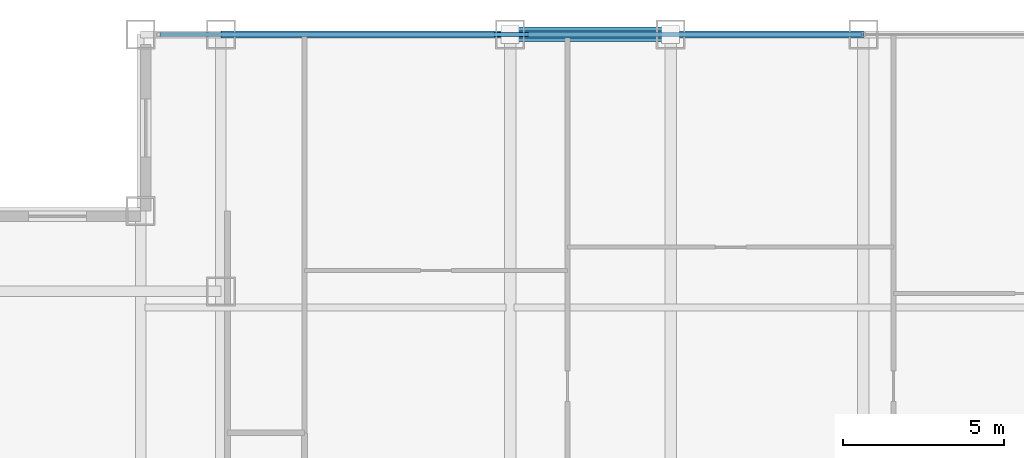
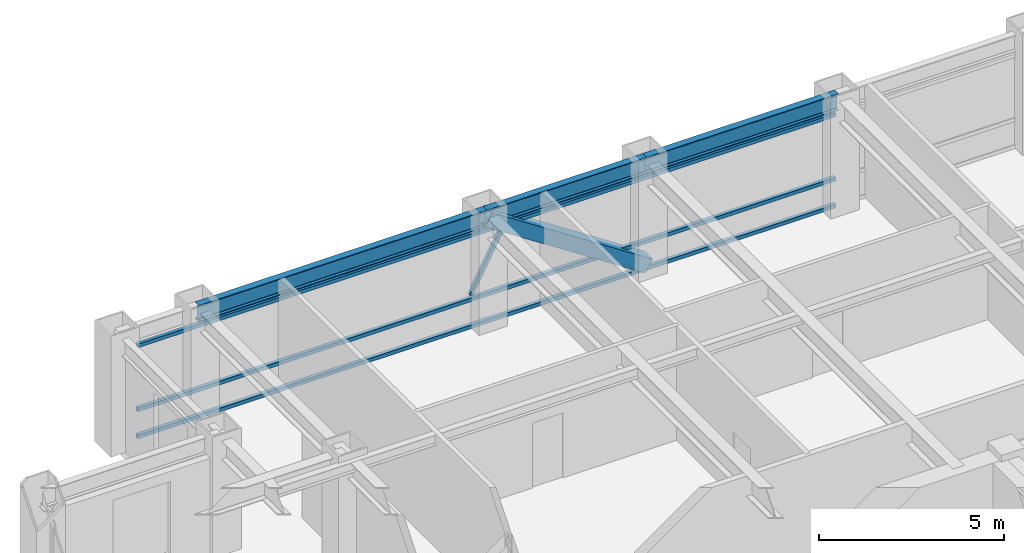
# One storey, part 13 of 22: 5 members, 3 beams, 1 element without a shape of its own.
"""IFC4 building model written with IfcOpenShell, lengths in metres."""

from ifc_helpers import new_model, si_unit, direction, frame, origin, origin_2d, place, context, subcontext, project, spatial, hollow_rectangle, i_section, extrude, source, transform, mapped, material, material_profile, profile_set, type_object, element, aggregate, save


model = new_model("IFC4")

# Units and contexts
model_context = context("Model", 3, precision=1e-05, world=origin(), true_north=direction((0.0, 1.0)))
body_context = subcontext(model_context, "Body", "Model", "MODEL_VIEW")
ifc_project = project(units=[si_unit("LENGTHUNIT", "METRE"), si_unit("AREAUNIT", "SQUARE_METRE"), si_unit("VOLUMEUNIT", "CUBIC_METRE"), si_unit("PLANEANGLEUNIT", "RADIAN"), si_unit("MASSUNIT", "GRAM", prefix="KILO")], contexts=[model_context])

# Site, building, storey
site_placement = place(None, origin())
site = spatial("IfcSite", under=ifc_project, at=site_placement, CompositionType="ELEMENT")
building_placement = place(site_placement, origin())
building = spatial("IfcBuilding", under=site, at=building_placement, Name="Khorayat Bourse Tower", CompositionType="ELEMENT")
storey_placement = place(building_placement, frame((0.0, 0.0, 305.5)))
storey = spatial("IfcBuildingStorey", under=building, at=storey_placement, Name="L72", CompositionType="ELEMENT", Elevation=305.5)

# Member
ifc_material_1 = material(Name="Steel EN 10025-4 S460M", Category="steel")
ifc_material_profile_1 = material_profile(ifc_material_1, hollow_rectangle(XDim=0.449951171875, YDim=0.449951171875, WallThickness=0.02490234375, at=origin_2d()), Name="HSS 450x450x25")
ifc_profile_set_1 = profile_set([ifc_material_profile_1], Name="Steel EN 10025-4 S460M")
member_type_1 = type_object("IfcMemberType", Name="MBR-TUBE-450", PredefinedType="BRACE", material=ifc_profile_set_1)
shared_shape_1 = source(origin(), body_context, "Body", "SweptSolid", [
    extrude(hollow_rectangle(XDim=0.449951171875, YDim=0.449951171875, WallThickness=0.02490234375, at=origin_2d()), origin(), (0.0, 0.0, 1.0), 5.979736328125),
])
member_1_placement = place(storey_placement, frame((-11.0, 28.0, 3.530029296875), z_axis=(0.836141536525, 0.0, -0.548513747227), x_axis=(0.0, 1.0, 0.0)))
element("IfcMember", 1, at=member_1_placement, inside=storey, type_object=member_type_1, Name="L72 Perimeter Tube Brace 03", PredefinedType="BRACE", context=body_context, shape_type="MappedRepresentation", body=[
    mapped(shared_shape_1, transform((0.0, 0.0, 0.0), scale=1.0)),
])

# Beams
ifc_material_2 = material(Name="Steel ASTM A992 Grade 50", Category="steel")
ifc_material_profile_2 = material_profile(ifc_material_2, i_section(OverallWidth=0.214111328125, OverallDepth=0.549072265625, WebThickness=0.0146484375, FlangeThickness=0.023681640625, FilletRadius=0.013916015625, at=origin_2d()), Name="W530X138")
ifc_profile_set_2 = profile_set([ifc_material_profile_2], Name="Steel ASTM A992 Grade 50")
beam_type = type_object("IfcBeamType", Name="BM-SPAN-530", PredefinedType="SPANDREL", material=ifc_profile_set_2)
shared_shape_2 = source(origin(), body_context, "Body", "SweptSolid", [
    extrude(i_section(OverallWidth=0.214111328125, OverallDepth=0.549072265625, WebThickness=0.0146484375, FlangeThickness=0.023681640625, FilletRadius=0.013916015625, at=origin_2d()), origin(), (0.0, 0.0, 1.0), 9.0),
])
beam_1_placement = place(storey_placement, frame((-20.0, 28.0, 3.505615234375), z_axis=(1.0, 0.0, 0.0), x_axis=(0.0, 1.0, 0.0)))
element("IfcBeam", 2, at=beam_1_placement, inside=storey, type_object=beam_type, Name="L72 BM-SPAN-530 BM-L72-SPN-050", PredefinedType="SPANDREL", context=body_context, shape_type="MappedRepresentation", body=[
    mapped(shared_shape_2, transform((0.0, 0.0, 0.0), scale=1.0)),
])
shared_shape_3 = source(origin(), body_context, "Body", "SweptSolid", [
    extrude(i_section(OverallWidth=0.214111328125, OverallDepth=0.549072265625, WebThickness=0.0146484375, FlangeThickness=0.023681640625, FilletRadius=0.013916015625, at=origin_2d()), origin(), (0.0, 0.0, 1.0), 5.0),
])
beam_2_placement = place(storey_placement, frame((-11.0, 28.0, 3.505615234375), z_axis=(1.0, 0.0, 0.0), x_axis=(0.0, 1.0, 0.0)))
element("IfcBeam", 3, at=beam_2_placement, inside=storey, type_object=beam_type, Name="L72 BM-SPAN-530 BM-L72-SPN-049", PredefinedType="SPANDREL", context=body_context, shape_type="MappedRepresentation", body=[
    mapped(shared_shape_3, transform((0.0, 0.0, 0.0), scale=1.0)),
])
shared_shape_4 = source(origin(), body_context, "Body", "SweptSolid", [
    extrude(i_section(OverallWidth=0.214111328125, OverallDepth=0.549072265625, WebThickness=0.0146484375, FlangeThickness=0.023681640625, FilletRadius=0.013916015625, at=origin_2d()), origin(), (0.0, 0.0, 1.0), 6.0),
])
beam_3_placement = place(storey_placement, frame((-6.0, 28.0, 3.505615234375), z_axis=(1.0, 0.0, 0.0), x_axis=(0.0, 1.0, 0.0)))
element("IfcBeam", 4, at=beam_3_placement, inside=storey, type_object=beam_type, Name="L72 BM-SPAN-530 BM-L72-SPN-048", PredefinedType="SPANDREL", context=body_context, shape_type="MappedRepresentation", body=[
    mapped(shared_shape_4, transform((0.0, 0.0, 0.0), scale=1.0)),
])

# Curtain wall, members
ifc_material_3 = material(Name="Aluminium EN AW-6063 T6", Category="aluminium")
curtain_wall_type = type_object("IfcCurtainWallType", Name="CW-SYS-04", PredefinedType="NOTDEFINED", material=ifc_material_3)
curtain_wall_placement = place(storey_placement, origin())
curtain_wall = element("IfcCurtainWall", 5, at=curtain_wall_placement, inside=storey, type_object=curtain_wall_type, Name="L72 Curtain Wall CW-L72-N1", PredefinedType="NOTDEFINED")
ifc_material_profile_3 = material_profile(ifc_material_3, hollow_rectangle(XDim=0.1201171875, YDim=0.1201171875, WallThickness=0.0048828125, at=origin_2d()), Name="ALU 120x120x5")
ifc_profile_set_3 = profile_set([ifc_material_profile_3], Name="Aluminium EN AW-6063 T6")
member_type_2 = type_object("IfcMemberType", Name="CWM-DIAG-120", PredefinedType="MULLION", material=ifc_profile_set_3)
shared_shape_5 = source(origin(), body_context, "Body", "SweptSolid", [
    extrude(hollow_rectangle(XDim=0.1201171875, YDim=0.1201171875, WallThickness=0.0048828125, at=origin_2d()), origin(), (0.0, 0.0, 1.0), 2.0791015625),
])
member_2_placement = place(storey_placement, frame((-11.4541015625, 28.0, 1.090087890625), z_axis=(0.465717394116, 0.0, 0.884933505309), x_axis=(0.0, 1.0, 0.0)))
member_2 = element("IfcMember", 6, at=member_2_placement, type_object=member_type_2, Name="CW-L72-N1 Faceted Diagonal Mullion 1", PredefinedType="MULLION", context=body_context, shape_type="MappedRepresentation", body=[
    mapped(shared_shape_5, transform((0.0, 0.0, 0.0), scale=1.0)),
])
ifc_material_profile_4 = material_profile(ifc_material_3, hollow_rectangle(XDim=0.1201171875, YDim=0.1201171875, WallThickness=0.0048828125, at=origin_2d()), Name="ALU 120x120x5")
ifc_profile_set_4 = profile_set([ifc_material_profile_4], Name="Aluminium EN AW-6063 T6")
member_type_3 = type_object("IfcMemberType", Name="CWT-HORZ-120", PredefinedType="USERDEFINED", material=ifc_profile_set_4)
shared_shape_6 = source(origin(), body_context, "Body", "SweptSolid", [
    extrude(hollow_rectangle(XDim=0.1201171875, YDim=0.1201171875, WallThickness=0.0048828125, at=origin_2d()), origin(), (0.0, 0.0, 1.0), 21.81982421875),
])
member_3_placement = place(storey_placement, frame((-21.8798828125, 28.0, 0.06005859375), z_axis=(1.0, 0.0, 0.0), x_axis=(0.0, 1.0, 0.0)))
member_3 = element("IfcMember", 7, at=member_3_placement, type_object=member_type_3, Name="CW-L72-N1 Horizontal Transom 1-1", ObjectType="TRANSOM", PredefinedType="USERDEFINED", context=body_context, shape_type="MappedRepresentation", body=[
    mapped(shared_shape_6, transform((0.0, 0.0, 0.0), scale=1.0)),
])
member_4_placement = place(storey_placement, frame((-21.8798828125, 28.0, 0.949951171875), z_axis=(1.0, 0.0, 0.0), x_axis=(0.0, 1.0, 0.0)))
member_4 = element("IfcMember", 8, at=member_4_placement, type_object=member_type_3, Name="CW-L72-N1 Horizontal Transom 1-2", ObjectType="TRANSOM", PredefinedType="USERDEFINED", context=body_context, shape_type="MappedRepresentation", body=[
    mapped(shared_shape_6, transform((0.0, 0.0, 0.0), scale=1.0)),
])
member_5_placement = place(storey_placement, frame((-21.8798828125, 28.0, 3.070068359375), z_axis=(1.0, 0.0, 0.0), x_axis=(0.0, 1.0, 0.0)))
member_5 = element("IfcMember", 9, at=member_5_placement, type_object=member_type_3, Name="CW-L72-N1 Horizontal Transom 1-3", ObjectType="TRANSOM", PredefinedType="USERDEFINED", context=body_context, shape_type="MappedRepresentation", body=[
    mapped(shared_shape_6, transform((0.0, 0.0, 0.0), scale=1.0)),
])
aggregate(curtain_wall, [member_3, member_4, member_5, member_2])

save(model, "model.ifc")
